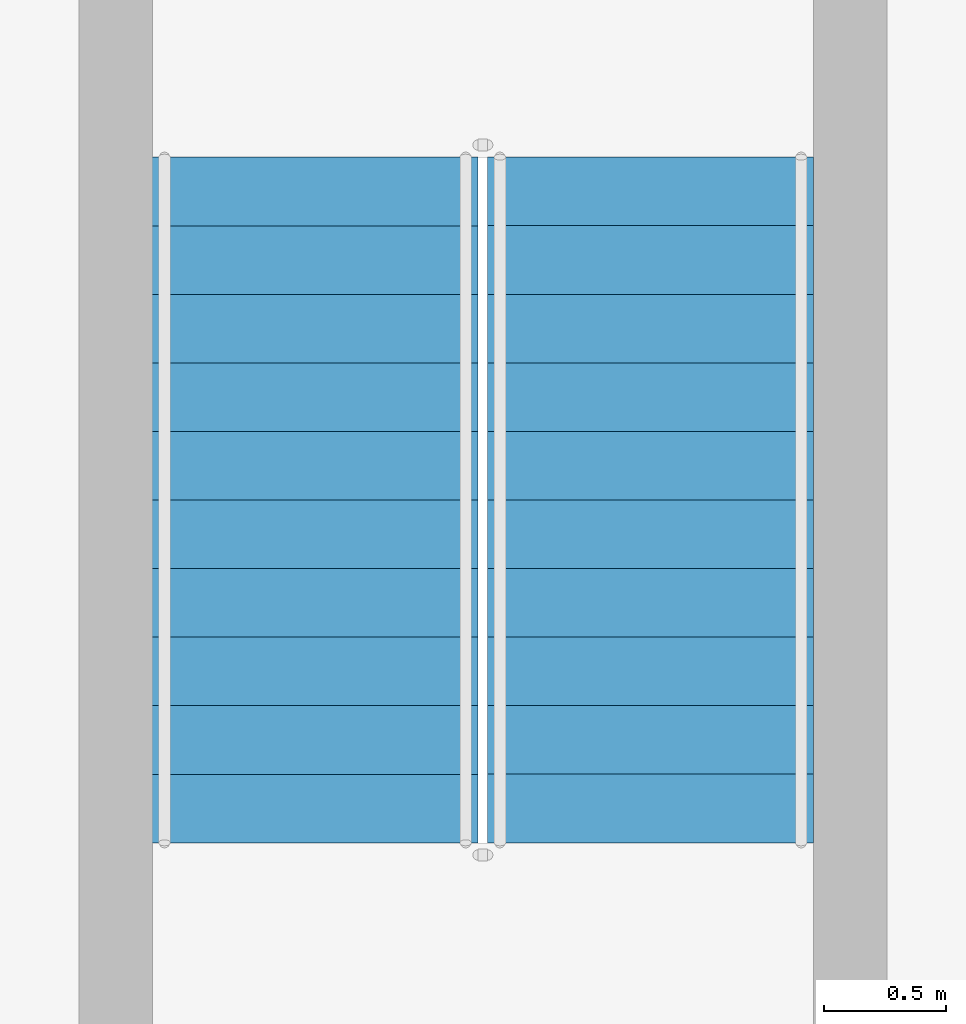
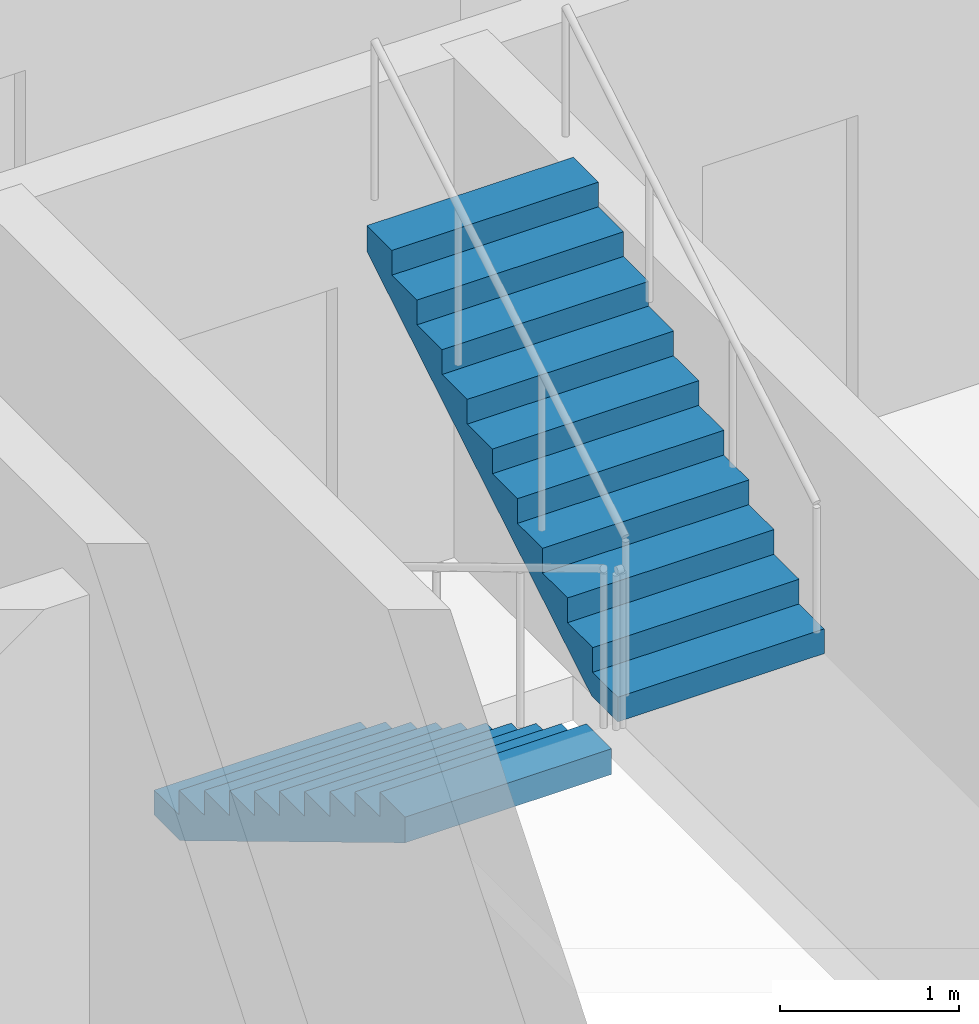
# One storey, part 15 of 25: 2 stair flights, 1 element without a shape of its own.
"""IFC4 building model written with IfcOpenShell, lengths in metres."""

from ifc_helpers import new_model, si_unit, direction, frame, origin, place, context, subcontext, project, spatial, triangles, source, transform, mapped, material, type_object, element, aggregate, save


model = new_model("IFC4")

# Units and contexts
model_context = context("Model", 3, precision=1e-05, world=origin(), true_north=direction((0.0, 1.0)))
body_context = subcontext(model_context, "Body", "Model", "MODEL_VIEW")
ifc_project = project(units=[si_unit("LENGTHUNIT", "METRE"), si_unit("AREAUNIT", "SQUARE_METRE"), si_unit("VOLUMEUNIT", "CUBIC_METRE"), si_unit("PLANEANGLEUNIT", "RADIAN"), si_unit("MASSUNIT", "GRAM", prefix="KILO")], contexts=[model_context])

# Site, building, storey
site_placement = place(None, origin())
site = spatial("IfcSite", under=ifc_project, at=site_placement, CompositionType="ELEMENT")
building_placement = place(site_placement, origin())
building = spatial("IfcBuilding", under=site, at=building_placement, Name="Ogive Portal Towers", CompositionType="ELEMENT")
storey_placement = place(building_placement, frame((0.0, 0.0, 182.89990234375)))
storey = spatial("IfcBuildingStorey", under=building, at=storey_placement, Name="L45", CompositionType="ELEMENT", Elevation=182.89990234375)

# Stair, stair flights
ifc_material = material(Name="Concrete C40/50", Category="concrete")
stair_type = type_object("IfcStairType", Name="INT-STAIR", PredefinedType="HALF_TURN_STAIR", material=ifc_material)
stair_placement = place(storey_placement, origin())
stair = element("IfcStair", 1, at=stair_placement, inside=storey, type_object=stair_type, Name="L45 Exit Stair ST-A4", PredefinedType="HALF_TURN_STAIR")
stair_flight_type = type_object("IfcStairFlightType", Name="INT-FLIGHT", PredefinedType="STRAIGHT", material=ifc_material)
shared_shape = source(origin(), body_context, "Body", "Tessellation", [
    triangles([(0.0, -0.6650390625, 0.0), (0.0, -0.384765625, 0.0), (0.0, -0.197021484375, 0.0), (0.0, -0.0830078125, 0.0), (0.0, -0.024658203125, 0.0), (0.0, -0.003173828125, 0.0), (0.0, 0.0, 0.0), (0.0, 0.003173828125, 0.0), (0.0, 0.024658203125, 0.0), (0.0, 0.0830078125, 0.0), (0.0, 0.197021484375, 0.0), (0.0, 0.384765625, 0.0), (0.0, 0.6650390625, 0.0), (0.0, -0.6650390625, 0.168212890625), (0.0, -0.384765625, 0.168212890625), (0.0, -0.197021484375, 0.168212890625), (0.0, -0.0830078125, 0.168212890625), (0.0, -0.024658203125, 0.168212890625), (0.0, -0.003173828125, 0.168212890625), (0.0, 0.0, 0.168212890625), (0.0, 0.003173828125, 0.168212890625), (0.0, 0.024658203125, 0.168212890625), (0.0, 0.0830078125, 0.168212890625), (0.0, 0.197021484375, 0.168212890625), (0.0, 0.384765625, 0.168212890625), (0.0, 0.6650390625, 0.168212890625), (0.280029296875, -0.6650390625, 0.168212890625), (0.280029296875, -0.384765625, 0.168212890625), (0.280029296875, -0.197021484375, 0.168212890625), (0.280029296875, -0.0830078125, 0.168212890625), (0.280029296875, -0.024658203125, 0.168212890625), (0.280029296875, -0.003173828125, 0.168212890625), (0.280029296875, 0.0, 0.168212890625), (0.280029296875, 0.003173828125, 0.168212890625), (0.280029296875, 0.024658203125, 0.168212890625), (0.280029296875, 0.0830078125, 0.168212890625), (0.280029296875, 0.197021484375, 0.168212890625), (0.280029296875, 0.384765625, 0.168212890625), (0.280029296875, 0.6650390625, 0.168212890625), (0.280029296875, -0.6650390625, 0.33642578125), (0.280029296875, -0.384765625, 0.33642578125), (0.280029296875, -0.197021484375, 0.33642578125), (0.280029296875, -0.0830078125, 0.33642578125), (0.280029296875, -0.024658203125, 0.33642578125), (0.280029296875, -0.003173828125, 0.33642578125), (0.280029296875, 0.0, 0.33642578125), (0.280029296875, 0.003173828125, 0.33642578125), (0.280029296875, 0.024658203125, 0.33642578125), (0.280029296875, 0.0830078125, 0.33642578125), (0.280029296875, 0.197021484375, 0.33642578125), (0.280029296875, 0.384765625, 0.33642578125), (0.280029296875, 0.6650390625, 0.33642578125), (0.56005859375, -0.6650390625, 0.33642578125), (0.56005859375, -0.384765625, 0.33642578125), (0.56005859375, -0.197021484375, 0.33642578125), (0.56005859375, -0.0830078125, 0.33642578125), (0.56005859375, -0.024658203125, 0.33642578125), (0.56005859375, -0.003173828125, 0.33642578125), (0.56005859375, 0.0, 0.33642578125), (0.56005859375, 0.003173828125, 0.33642578125), (0.56005859375, 0.024658203125, 0.33642578125), (0.56005859375, 0.0830078125, 0.33642578125), (0.56005859375, 0.197021484375, 0.33642578125), (0.56005859375, 0.384765625, 0.33642578125), (0.56005859375, 0.6650390625, 0.33642578125), (0.56005859375, -0.6650390625, 0.504638671875), (0.56005859375, -0.384765625, 0.504638671875), (0.56005859375, -0.197021484375, 0.504638671875), (0.56005859375, -0.0830078125, 0.504638671875), (0.56005859375, -0.024658203125, 0.504638671875), (0.56005859375, -0.003173828125, 0.504638671875), (0.56005859375, 0.0, 0.504638671875), (0.56005859375, 0.003173828125, 0.504638671875), (0.56005859375, 0.024658203125, 0.504638671875), (0.56005859375, 0.0830078125, 0.504638671875), (0.56005859375, 0.197021484375, 0.504638671875), (0.56005859375, 0.384765625, 0.504638671875), (0.56005859375, 0.6650390625, 0.504638671875), (0.840087890625, -0.6650390625, 0.504638671875), (0.840087890625, -0.384765625, 0.504638671875), (0.840087890625, -0.197021484375, 0.504638671875), (0.840087890625, -0.0830078125, 0.504638671875), (0.840087890625, -0.024658203125, 0.504638671875), (0.840087890625, -0.003173828125, 0.504638671875), (0.840087890625, 0.0, 0.504638671875), (0.840087890625, 0.003173828125, 0.504638671875), (0.840087890625, 0.024658203125, 0.504638671875), (0.840087890625, 0.0830078125, 0.504638671875), (0.840087890625, 0.197021484375, 0.504638671875), (0.840087890625, 0.384765625, 0.504638671875), (0.840087890625, 0.6650390625, 0.504638671875), (0.840087890625, -0.6650390625, 0.672607421875), (0.840087890625, -0.384765625, 0.672607421875), (0.840087890625, -0.197021484375, 0.672607421875), (0.840087890625, -0.0830078125, 0.672607421875), (0.840087890625, -0.024658203125, 0.672607421875), (0.840087890625, -0.003173828125, 0.672607421875), (0.840087890625, 0.0, 0.672607421875), (0.840087890625, 0.003173828125, 0.672607421875), (0.840087890625, 0.024658203125, 0.672607421875), (0.840087890625, 0.0830078125, 0.672607421875), (0.840087890625, 0.197021484375, 0.672607421875), (0.840087890625, 0.384765625, 0.672607421875), (0.840087890625, 0.6650390625, 0.672607421875), (1.1201171875, -0.6650390625, 0.672607421875), (1.1201171875, -0.384765625, 0.672607421875), (1.1201171875, -0.197021484375, 0.672607421875), (1.1201171875, -0.0830078125, 0.672607421875), (1.1201171875, -0.024658203125, 0.672607421875), (1.1201171875, -0.003173828125, 0.672607421875), (1.1201171875, 0.0, 0.672607421875), (1.1201171875, 0.003173828125, 0.672607421875), (1.1201171875, 0.024658203125, 0.672607421875), (1.1201171875, 0.0830078125, 0.672607421875), (1.1201171875, 0.197021484375, 0.672607421875), (1.1201171875, 0.384765625, 0.672607421875), (1.1201171875, 0.6650390625, 0.672607421875), (1.1201171875, -0.6650390625, 0.8408203125), (1.1201171875, -0.384765625, 0.8408203125), (1.1201171875, -0.197021484375, 0.8408203125), (1.1201171875, -0.0830078125, 0.8408203125), (1.1201171875, -0.024658203125, 0.8408203125), (1.1201171875, -0.003173828125, 0.8408203125), (1.1201171875, 0.0, 0.8408203125), (1.1201171875, 0.003173828125, 0.8408203125), (1.1201171875, 0.024658203125, 0.8408203125), (1.1201171875, 0.0830078125, 0.8408203125), (1.1201171875, 0.197021484375, 0.8408203125), (1.1201171875, 0.384765625, 0.8408203125), (1.1201171875, 0.6650390625, 0.8408203125), (1.39990234375, -0.6650390625, 0.8408203125), (1.39990234375, -0.384765625, 0.8408203125), (1.39990234375, -0.197021484375, 0.8408203125), (1.39990234375, -0.0830078125, 0.8408203125), (1.39990234375, -0.024658203125, 0.8408203125), (1.39990234375, -0.003173828125, 0.8408203125), (1.39990234375, 0.0, 0.8408203125), (1.39990234375, 0.003173828125, 0.8408203125), (1.39990234375, 0.024658203125, 0.8408203125), (1.39990234375, 0.0830078125, 0.8408203125), (1.39990234375, 0.197021484375, 0.8408203125), (1.39990234375, 0.384765625, 0.8408203125), (1.39990234375, 0.6650390625, 0.8408203125), (1.39990234375, -0.6650390625, 1.009033203125), (1.39990234375, -0.384765625, 1.009033203125), (1.39990234375, -0.197021484375, 1.009033203125), (1.39990234375, -0.0830078125, 1.009033203125), (1.39990234375, -0.024658203125, 1.009033203125), (1.39990234375, -0.003173828125, 1.009033203125), (1.39990234375, 0.0, 1.009033203125), (1.39990234375, 0.003173828125, 1.009033203125), (1.39990234375, 0.024658203125, 1.009033203125), (1.39990234375, 0.0830078125, 1.009033203125), (1.39990234375, 0.197021484375, 1.009033203125), (1.39990234375, 0.384765625, 1.009033203125), (1.39990234375, 0.6650390625, 1.009033203125), (1.679931640625, -0.6650390625, 1.009033203125), (1.679931640625, -0.384765625, 1.009033203125), (1.679931640625, -0.197021484375, 1.009033203125), (1.679931640625, -0.0830078125, 1.009033203125), (1.679931640625, -0.024658203125, 1.009033203125), (1.679931640625, -0.003173828125, 1.009033203125), (1.679931640625, 0.0, 1.009033203125), (1.679931640625, 0.003173828125, 1.009033203125), (1.679931640625, 0.024658203125, 1.009033203125), (1.679931640625, 0.0830078125, 1.009033203125), (1.679931640625, 0.197021484375, 1.009033203125), (1.679931640625, 0.384765625, 1.009033203125), (1.679931640625, 0.6650390625, 1.009033203125), (1.679931640625, -0.6650390625, 1.17724609375), (1.679931640625, -0.384765625, 1.17724609375), (1.679931640625, -0.197021484375, 1.17724609375), (1.679931640625, -0.0830078125, 1.17724609375), (1.679931640625, -0.024658203125, 1.17724609375), (1.679931640625, -0.003173828125, 1.17724609375), (1.679931640625, 0.0, 1.17724609375), (1.679931640625, 0.003173828125, 1.17724609375), (1.679931640625, 0.024658203125, 1.17724609375), (1.679931640625, 0.0830078125, 1.17724609375), (1.679931640625, 0.197021484375, 1.17724609375), (1.679931640625, 0.384765625, 1.17724609375), (1.679931640625, 0.6650390625, 1.17724609375), (1.9599609375, -0.6650390625, 1.17724609375), (1.9599609375, -0.384765625, 1.17724609375), (1.9599609375, -0.197021484375, 1.17724609375), (1.9599609375, -0.0830078125, 1.17724609375), (1.9599609375, -0.024658203125, 1.17724609375), (1.9599609375, -0.003173828125, 1.17724609375), (1.9599609375, 0.0, 1.17724609375), (1.9599609375, 0.003173828125, 1.17724609375), (1.9599609375, 0.024658203125, 1.17724609375), (1.9599609375, 0.0830078125, 1.17724609375), (1.9599609375, 0.197021484375, 1.17724609375), (1.9599609375, 0.384765625, 1.17724609375), (1.9599609375, 0.6650390625, 1.17724609375), (1.9599609375, -0.6650390625, 1.345458984375), (1.9599609375, -0.384765625, 1.345458984375), (1.9599609375, -0.197021484375, 1.345458984375), (1.9599609375, -0.0830078125, 1.345458984375), (1.9599609375, -0.024658203125, 1.345458984375), (1.9599609375, -0.003173828125, 1.345458984375), (1.9599609375, 0.0, 1.345458984375), (1.9599609375, 0.003173828125, 1.345458984375), (1.9599609375, 0.024658203125, 1.345458984375), (1.9599609375, 0.0830078125, 1.345458984375), (1.9599609375, 0.197021484375, 1.345458984375), (1.9599609375, 0.384765625, 1.345458984375), (1.9599609375, 0.6650390625, 1.345458984375), (2.239990234375, -0.6650390625, 1.345458984375), (2.239990234375, -0.384765625, 1.345458984375), (2.239990234375, -0.197021484375, 1.345458984375), (2.239990234375, -0.0830078125, 1.345458984375), (2.239990234375, -0.024658203125, 1.345458984375), (2.239990234375, -0.003173828125, 1.345458984375), (2.239990234375, 0.0, 1.345458984375), (2.239990234375, 0.003173828125, 1.345458984375), (2.239990234375, 0.024658203125, 1.345458984375), (2.239990234375, 0.0830078125, 1.345458984375), (2.239990234375, 0.197021484375, 1.345458984375), (2.239990234375, 0.384765625, 1.345458984375), (2.239990234375, 0.6650390625, 1.345458984375), (2.239990234375, -0.6650390625, 1.513671875), (2.239990234375, -0.384765625, 1.513671875), (2.239990234375, -0.197021484375, 1.513671875), (2.239990234375, -0.0830078125, 1.513671875), (2.239990234375, -0.024658203125, 1.513671875), (2.239990234375, -0.003173828125, 1.513671875), (2.239990234375, 0.0, 1.513671875), (2.239990234375, 0.003173828125, 1.513671875), (2.239990234375, 0.024658203125, 1.513671875), (2.239990234375, 0.0830078125, 1.513671875), (2.239990234375, 0.197021484375, 1.513671875), (2.239990234375, 0.384765625, 1.513671875), (2.239990234375, 0.6650390625, 1.513671875), (2.52001953125, -0.6650390625, 1.513671875), (2.52001953125, -0.384765625, 1.513671875), (2.52001953125, -0.197021484375, 1.513671875), (2.52001953125, -0.0830078125, 1.513671875), (2.52001953125, -0.024658203125, 1.513671875), (2.52001953125, -0.003173828125, 1.513671875), (2.52001953125, 0.0, 1.513671875), (2.52001953125, 0.003173828125, 1.513671875), (2.52001953125, 0.024658203125, 1.513671875), (2.52001953125, 0.0830078125, 1.513671875), (2.52001953125, 0.197021484375, 1.513671875), (2.52001953125, 0.384765625, 1.513671875), (2.52001953125, 0.6650390625, 1.513671875), (2.52001953125, -0.6650390625, 1.681884765625), (2.52001953125, -0.384765625, 1.681884765625), (2.52001953125, -0.197021484375, 1.681884765625), (2.52001953125, -0.0830078125, 1.681884765625), (2.52001953125, -0.024658203125, 1.681884765625), (2.52001953125, -0.003173828125, 1.681884765625), (2.52001953125, 0.0, 1.681884765625), (2.52001953125, 0.003173828125, 1.681884765625), (2.52001953125, 0.024658203125, 1.681884765625), (2.52001953125, 0.0830078125, 1.681884765625), (2.52001953125, 0.197021484375, 1.681884765625), (2.52001953125, 0.384765625, 1.681884765625), (2.52001953125, 0.6650390625, 1.681884765625), (2.800048828125, -0.6650390625, 1.681884765625), (2.800048828125, -0.384765625, 1.681884765625), (2.800048828125, -0.197021484375, 1.681884765625), (2.800048828125, -0.0830078125, 1.681884765625), (2.800048828125, -0.024658203125, 1.681884765625), (2.800048828125, -0.003173828125, 1.681884765625), (2.800048828125, 0.0, 1.681884765625), (2.800048828125, 0.003173828125, 1.681884765625), (2.800048828125, 0.024658203125, 1.681884765625), (2.800048828125, 0.0830078125, 1.681884765625), (2.800048828125, 0.197021484375, 1.681884765625), (2.800048828125, 0.384765625, 1.681884765625), (2.800048828125, 0.6650390625, 1.681884765625), (2.800048828125, -0.6650390625, 1.5068359375), (2.800048828125, -0.384765625, 1.5068359375), (2.800048828125, -0.197021484375, 1.5068359375), (2.800048828125, -0.0830078125, 1.5068359375), (2.800048828125, -0.024658203125, 1.5068359375), (2.800048828125, -0.003173828125, 1.5068359375), (2.800048828125, 0.0, 1.5068359375), (2.800048828125, 0.003173828125, 1.5068359375), (2.800048828125, 0.024658203125, 1.5068359375), (2.800048828125, 0.0830078125, 1.5068359375), (2.800048828125, 0.197021484375, 1.5068359375), (2.800048828125, 0.384765625, 1.5068359375), (2.800048828125, 0.6650390625, 1.5068359375), (0.291015625, -0.6650390625, 0.0), (0.291015625, -0.384765625, 0.0), (0.291015625, -0.197021484375, 0.0), (0.291015625, -0.0830078125, 0.0), (0.291015625, -0.024658203125, 0.0), (0.291015625, -0.003173828125, 0.0), (0.291015625, 0.0, 0.0), (0.291015625, 0.003173828125, 0.0), (0.291015625, 0.024658203125, 0.0), (0.291015625, 0.0830078125, 0.0), (0.291015625, 0.197021484375, 0.0), (0.291015625, 0.384765625, 0.0), (0.291015625, 0.6650390625, 0.0)], [[1, 14, 15], [1, 15, 2], [2, 15, 16], [2, 16, 3], [3, 16, 17], [3, 17, 4], [4, 17, 18], [4, 18, 5], [5, 18, 19], [5, 19, 6], [6, 19, 20], [6, 20, 7], [7, 20, 21], [7, 21, 8], [8, 21, 22], [8, 22, 9], [9, 22, 23], [9, 23, 10], [10, 23, 24], [10, 24, 11], [11, 24, 25], [11, 25, 12], [12, 25, 26], [12, 26, 13], [14, 27, 28], [14, 28, 15], [15, 28, 29], [15, 29, 16], [16, 29, 30], [16, 30, 17], [17, 30, 31], [17, 31, 18], [18, 31, 32], [18, 32, 19], [19, 32, 33], [19, 33, 20], [20, 33, 34], [20, 34, 21], [21, 34, 35], [21, 35, 22], [22, 35, 36], [22, 36, 23], [23, 36, 37], [23, 37, 24], [24, 37, 38], [24, 38, 25], [25, 38, 39], [25, 39, 26], [27, 40, 41], [27, 41, 28], [28, 41, 42], [28, 42, 29], [29, 42, 43], [29, 43, 30], [30, 43, 44], [30, 44, 31], [31, 44, 45], [31, 45, 32], [32, 45, 46], [32, 46, 33], [33, 46, 47], [33, 47, 34], [34, 47, 48], [34, 48, 35], [35, 48, 49], [35, 49, 36], [36, 49, 50], [36, 50, 37], [37, 50, 51], [37, 51, 38], [38, 51, 52], [38, 52, 39], [40, 53, 54], [40, 54, 41], [41, 54, 55], [41, 55, 42], [42, 55, 56], [42, 56, 43], [43, 56, 57], [43, 57, 44], [44, 57, 58], [44, 58, 45], [45, 58, 59], [45, 59, 46], [46, 59, 60], [46, 60, 47], [47, 60, 61], [47, 61, 48], [48, 61, 62], [48, 62, 49], [49, 62, 63], [49, 63, 50], [50, 63, 64], [50, 64, 51], [51, 64, 65], [51, 65, 52], [53, 66, 67], [53, 67, 54], [54, 67, 68], [54, 68, 55], [55, 68, 69], [55, 69, 56], [56, 69, 70], [56, 70, 57], [57, 70, 71], [57, 71, 58], [58, 71, 72], [58, 72, 59], [59, 72, 73], [59, 73, 60], [60, 73, 74], [60, 74, 61], [61, 74, 75], [61, 75, 62], [62, 75, 76], [62, 76, 63], [63, 76, 77], [63, 77, 64], [64, 77, 78], [64, 78, 65], [66, 79, 80], [66, 80, 67], [67, 80, 81], [67, 81, 68], [68, 81, 82], [68, 82, 69], [69, 82, 83], [69, 83, 70], [70, 83, 84], [70, 84, 71], [71, 84, 85], [71, 85, 72], [72, 85, 86], [72, 86, 73], [73, 86, 87], [73, 87, 74], [74, 87, 88], [74, 88, 75], [75, 88, 89], [75, 89, 76], [76, 89, 90], [76, 90, 77], [77, 90, 91], [77, 91, 78], [79, 92, 93], [79, 93, 80], [80, 93, 94], [80, 94, 81], [81, 94, 95], [81, 95, 82], [82, 95, 96], [82, 96, 83], [83, 96, 97], [83, 97, 84], [84, 97, 98], [84, 98, 85], [85, 98, 99], [85, 99, 86], [86, 99, 100], [86, 100, 87], [87, 100, 101], [87, 101, 88], [88, 101, 102], [88, 102, 89], [89, 102, 103], [89, 103, 90], [90, 103, 104], [90, 104, 91], [92, 105, 106], [92, 106, 93], [93, 106, 107], [93, 107, 94], [94, 107, 108], [94, 108, 95], [95, 108, 109], [95, 109, 96], [96, 109, 110], [96, 110, 97], [97, 110, 111], [97, 111, 98], [98, 111, 112], [98, 112, 99], [99, 112, 113], [99, 113, 100], [100, 113, 114], [100, 114, 101], [101, 114, 115], [101, 115, 102], [102, 115, 116], [102, 116, 103], [103, 116, 117], [103, 117, 104], [105, 118, 119], [105, 119, 106], [106, 119, 120], [106, 120, 107], [107, 120, 121], [107, 121, 108], [108, 121, 122], [108, 122, 109], [109, 122, 123], [109, 123, 110], [110, 123, 124], [110, 124, 111], [111, 124, 125], [111, 125, 112], [112, 125, 126], [112, 126, 113], [113, 126, 127], [113, 127, 114], [114, 127, 128], [114, 128, 115], [115, 128, 129], [115, 129, 116], [116, 129, 130], [116, 130, 117], [118, 131, 132], [118, 132, 119], [119, 132, 133], [119, 133, 120], [120, 133, 134], [120, 134, 121], [121, 134, 135], [121, 135, 122], [122, 135, 136], [122, 136, 123], [123, 136, 137], [123, 137, 124], [124, 137, 138], [124, 138, 125], [125, 138, 139], [125, 139, 126], [126, 139, 140], [126, 140, 127], [127, 140, 141], [127, 141, 128], [128, 141, 142], [128, 142, 129], [129, 142, 143], [129, 143, 130], [131, 144, 145], [131, 145, 132], [132, 145, 146], [132, 146, 133], [133, 146, 147], [133, 147, 134], [134, 147, 148], [134, 148, 135], [135, 148, 149], [135, 149, 136], [136, 149, 150], [136, 150, 137], [137, 150, 151], [137, 151, 138], [138, 151, 152], [138, 152, 139], [139, 152, 153], [139, 153, 140], [140, 153, 154], [140, 154, 141], [141, 154, 155], [141, 155, 142], [142, 155, 156], [142, 156, 143], [144, 157, 158], [144, 158, 145], [145, 158, 159], [145, 159, 146], [146, 159, 160], [146, 160, 147], [147, 160, 161], [147, 161, 148], [148, 161, 162], [148, 162, 149], [149, 162, 163], [149, 163, 150], [150, 163, 164], [150, 164, 151], [151, 164, 165], [151, 165, 152], [152, 165, 166], [152, 166, 153], [153, 166, 167], [153, 167, 154], [154, 167, 168], [154, 168, 155], [155, 168, 169], [155, 169, 156], [157, 170, 171], [157, 171, 158], [158, 171, 172], [158, 172, 159], [159, 172, 173], [159, 173, 160], [160, 173, 174], [160, 174, 161], [161, 174, 175], [161, 175, 162], [162, 175, 176], [162, 176, 163], [163, 176, 177], [163, 177, 164], [164, 177, 178], [164, 178, 165], [165, 178, 179], [165, 179, 166], [166, 179, 180], [166, 180, 167], [167, 180, 181], [167, 181, 168], [168, 181, 182], [168, 182, 169], [170, 183, 184], [170, 184, 171], [171, 184, 185], [171, 185, 172], [172, 185, 186], [172, 186, 173], [173, 186, 187], [173, 187, 174], [174, 187, 188], [174, 188, 175], [175, 188, 189], [175, 189, 176], [176, 189, 190], [176, 190, 177], [177, 190, 191], [177, 191, 178], [178, 191, 192], [178, 192, 179], [179, 192, 193], [179, 193, 180], [180, 193, 194], [180, 194, 181], [181, 194, 195], [181, 195, 182], [183, 196, 197], [183, 197, 184], [184, 197, 198], [184, 198, 185], [185, 198, 199], [185, 199, 186], [186, 199, 200], [186, 200, 187], [187, 200, 201], [187, 201, 188], [188, 201, 202], [188, 202, 189], [189, 202, 203], [189, 203, 190], [190, 203, 204], [190, 204, 191], [191, 204, 205], [191, 205, 192], [192, 205, 206], [192, 206, 193], [193, 206, 207], [193, 207, 194], [194, 207, 208], [194, 208, 195], [196, 209, 210], [196, 210, 197], [197, 210, 211], [197, 211, 198], [198, 211, 212], [198, 212, 199], [199, 212, 213], [199, 213, 200], [200, 213, 214], [200, 214, 201], [201, 214, 215], [201, 215, 202], [202, 215, 216], [202, 216, 203], [203, 216, 217], [203, 217, 204], [204, 217, 218], [204, 218, 205], [205, 218, 219], [205, 219, 206], [206, 219, 220], [206, 220, 207], [207, 220, 221], [207, 221, 208], [209, 222, 223], [209, 223, 210], [210, 223, 224], [210, 224, 211], [211, 224, 225], [211, 225, 212], [212, 225, 226], [212, 226, 213], [213, 226, 227], [213, 227, 214], [214, 227, 228], [214, 228, 215], [215, 228, 229], [215, 229, 216], [216, 229, 230], [216, 230, 217], [217, 230, 231], [217, 231, 218], [218, 231, 232], [218, 232, 219], [219, 232, 233], [219, 233, 220], [220, 233, 234], [220, 234, 221], [222, 235, 236], [222, 236, 223], [223, 236, 237], [223, 237, 224], [224, 237, 238], [224, 238, 225], [225, 238, 239], [225, 239, 226], [226, 239, 240], [226, 240, 227], [227, 240, 241], [227, 241, 228], [228, 241, 242], [228, 242, 229], [229, 242, 243], [229, 243, 230], [230, 243, 244], [230, 244, 231], [231, 244, 245], [231, 245, 232], [232, 245, 246], [232, 246, 233], [233, 246, 247], [233, 247, 234], [235, 248, 249], [235, 249, 236], [236, 249, 250], [236, 250, 237], [237, 250, 251], [237, 251, 238], [238, 251, 252], [238, 252, 239], [239, 252, 253], [239, 253, 240], [240, 253, 254], [240, 254, 241], [241, 254, 255], [241, 255, 242], [242, 255, 256], [242, 256, 243], [243, 256, 257], [243, 257, 244], [244, 257, 258], [244, 258, 245], [245, 258, 259], [245, 259, 246], [246, 259, 260], [246, 260, 247], [248, 261, 262], [248, 262, 249], [249, 262, 263], [249, 263, 250], [250, 263, 264], [250, 264, 251], [251, 264, 265], [251, 265, 252], [252, 265, 266], [252, 266, 253], [253, 266, 267], [253, 267, 254], [254, 267, 268], [254, 268, 255], [255, 268, 269], [255, 269, 256], [256, 269, 270], [256, 270, 257], [257, 270, 271], [257, 271, 258], [258, 271, 272], [258, 272, 259], [259, 272, 273], [259, 273, 260], [261, 274, 275], [261, 275, 262], [262, 275, 276], [262, 276, 263], [263, 276, 277], [263, 277, 264], [264, 277, 278], [264, 278, 265], [265, 278, 279], [265, 279, 266], [266, 279, 280], [266, 280, 267], [267, 280, 281], [267, 281, 268], [268, 281, 282], [268, 282, 269], [269, 282, 283], [269, 283, 270], [270, 283, 284], [270, 284, 271], [271, 284, 285], [271, 285, 272], [272, 285, 286], [272, 286, 273], [274, 287, 288], [274, 288, 275], [275, 288, 289], [275, 289, 276], [276, 289, 290], [276, 290, 277], [277, 290, 291], [277, 291, 278], [278, 291, 292], [278, 292, 279], [279, 292, 293], [279, 293, 280], [280, 293, 294], [280, 294, 281], [281, 294, 295], [281, 295, 282], [282, 295, 296], [282, 296, 283], [283, 296, 297], [283, 297, 284], [284, 297, 298], [284, 298, 285], [285, 298, 299], [285, 299, 286], [287, 1, 2], [287, 2, 288], [288, 2, 3], [288, 3, 289], [289, 3, 4], [289, 4, 290], [290, 4, 5], [290, 5, 291], [291, 5, 6], [291, 6, 292], [292, 6, 7], [292, 7, 293], [293, 7, 8], [293, 8, 294], [294, 8, 9], [294, 9, 295], [295, 9, 10], [295, 10, 296], [296, 10, 11], [296, 11, 297], [297, 11, 12], [297, 12, 298], [298, 12, 13], [298, 13, 299], [1, 287, 274], [13, 286, 299], [274, 261, 248], [286, 260, 273], [274, 248, 235], [286, 247, 260], [274, 235, 222], [286, 234, 247], [274, 222, 209], [286, 221, 234], [209, 196, 183], [221, 195, 208], [274, 209, 183], [286, 195, 221], [183, 170, 157], [195, 169, 182], [274, 183, 157], [286, 169, 195], [157, 144, 131], [169, 143, 156], [274, 157, 131], [286, 143, 169], [131, 118, 105], [143, 117, 130], [274, 131, 105], [286, 117, 143], [1, 274, 105], [13, 117, 286], [105, 92, 79], [117, 91, 104], [79, 66, 53], [91, 65, 78], [105, 79, 53], [117, 65, 91], [53, 40, 27], [65, 39, 52], [105, 53, 27], [117, 39, 65], [1, 105, 27], [13, 39, 117], [27, 14, 1], [39, 13, 26]], closed=True),
])
stair_flight_1_placement = place(storey_placement, frame((87.6650390625, 29.169921875, 0.0), z_axis=(0.0, 0.0, 1.0), x_axis=(0.0, -1.0, 0.0)))
stair_flight_1 = element("IfcStairFlight", 2, at=stair_flight_1_placement, type_object=stair_flight_type, Name="ST-A4 flight 1", NumberOfRisers=11, NumberOfTreads=10, PredefinedType="STRAIGHT", RiserHeight=0.168181818, TreadLength=0.28, context=body_context, shape_type="MappedRepresentation", body=[
    mapped(shared_shape, transform((0.0, 0.0, 0.0), scale=1.0)),
])
stair_flight_2_placement = place(storey_placement, frame((89.034912109375, 26.3701171875, 1.85009765625), z_axis=(0.0, 0.0, 1.0), x_axis=(0.0, 1.0, 0.0)))
stair_flight_2 = element("IfcStairFlight", 3, at=stair_flight_2_placement, type_object=stair_flight_type, Name="ST-A4 flight 2", NumberOfRisers=11, NumberOfTreads=10, PredefinedType="STRAIGHT", RiserHeight=0.168181818, TreadLength=0.28, context=body_context, shape_type="MappedRepresentation", body=[
    mapped(shared_shape, transform((0.0, 0.0, 0.0), scale=1.0)),
])
aggregate(stair, [stair_flight_1, stair_flight_2])

save(model, "model.ifc")
